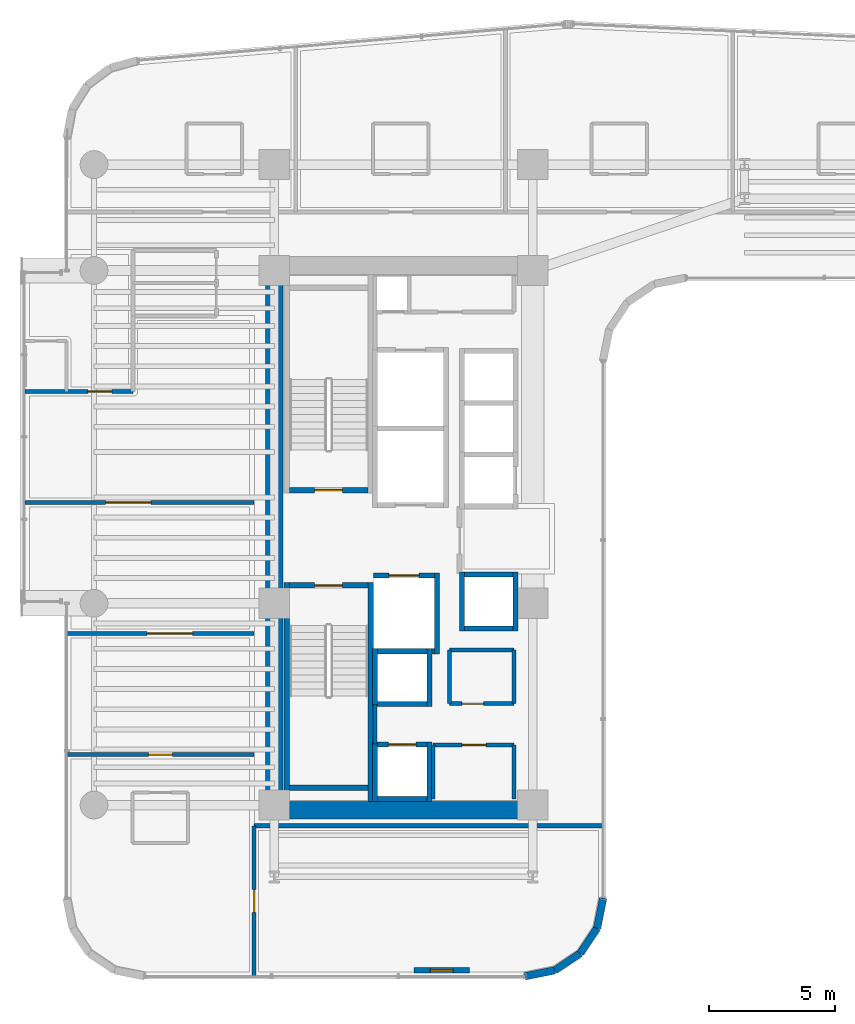
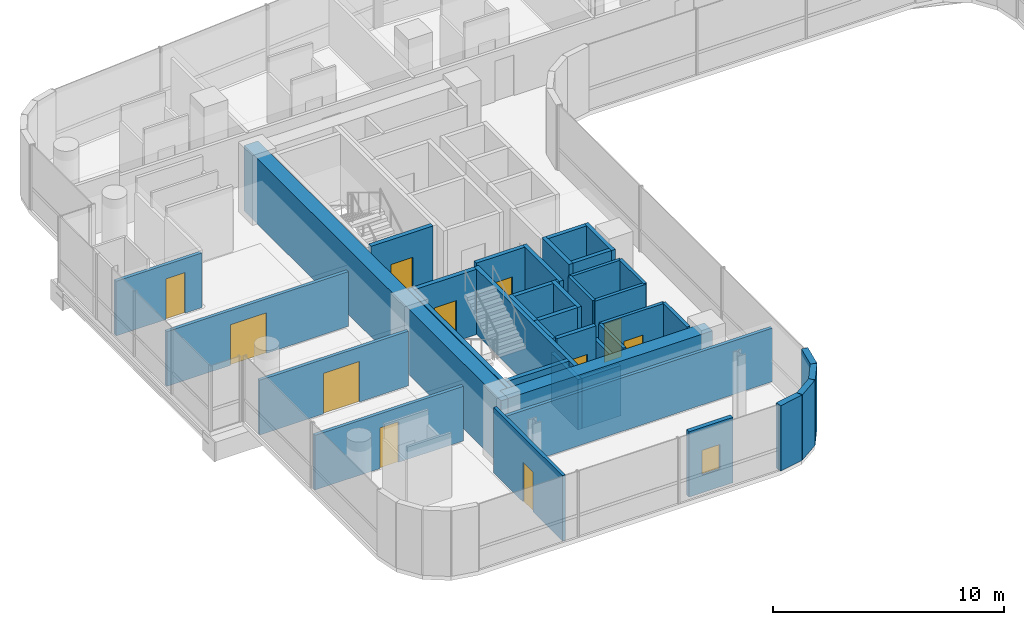
# One storey, part 26 of 35: 40 walls, 11 doors, 1 window, 12 openings.
"""IFC4 building model written with IfcOpenShell, lengths in metres."""

import ifcopenshell
import ifcopenshell.guid

model = None  # the IFC model being written
_history = None  # IfcOwnerHistory: only IFC2X3 demands one
_inside = {}  # id of a spatial element -> (the spatial element, [elements in it])
_under = {}  # id of a project, library or spatial element -> (it, [spatial elements below it])
_declared = {}  # id of a project -> (the project, [libraries it declares])
_typed = {}  # id of a type object -> (the type object, [elements of that type])
_made_of = {}  # id of a material, layer set ... -> (it, [elements and type objects made of it])


def new_model(schema):
    """Start an empty IFC model of exactly this schema.

    Asked for "IFC4X3", IfcOpenShell would pick the latest addendum, in which some entities
    have other attributes; the version numbers below select the first issue.
    IFC2X3 requires an IfcOwnerHistory on every rooted entity: one is made here for all.
    """
    global model, _history
    if schema == "IFC4X3":
        model = ifcopenshell.file(schema_version=(4, 3, 0, 0))
    else:
        model = ifcopenshell.file(schema=schema)
    _inside.clear()
    _under.clear()
    _declared.clear()
    _typed.clear()
    _made_of.clear()
    _history = None
    if model.schema == "IFC2X3":
        org = make("IfcOrganization", Name="unknown")
        user = make(
            "IfcPersonAndOrganization",
            ThePerson=make("IfcPerson", FamilyName="unknown"),
            TheOrganization=org,
        )
        app = make(
            "IfcApplication",
            ApplicationDeveloper=org,
            Version="unknown",
            ApplicationFullName="unknown",
            ApplicationIdentifier="unknown",
        )
        _history = make(
            "IfcOwnerHistory",
            OwningUser=user,
            OwningApplication=app,
            ChangeAction="ADDED",
            CreationDate=0,
        )
    return model


def make(cls, **values):
    """One entity of the class cls with the attributes given. An attribute that is None is left unset."""
    return model.create_entity(
        cls, **{name: value for name, value in values.items() if value is not None}
    )


def rooted(cls, **values):
    """An entity with a GlobalId (a new one), such as an element, a storey or a relation."""
    return make(cls, GlobalId=ifcopenshell.guid.new(), OwnerHistory=_history, **values)


def si_unit(unit_type, name, prefix=None):
    """IfcSIUnit, for example si_unit("LENGTHUNIT", "METRE", prefix="MILLI")."""
    return make("IfcSIUnit", UnitType=unit_type, Prefix=prefix, Name=name)


def assignment(units):
    """IfcUnitAssignment: the units of a project."""
    return None if units is None else make("IfcUnitAssignment", Units=units)


def point(xyz):
    """IfcCartesianPoint."""
    return None if xyz is None else make("IfcCartesianPoint", Coordinates=xyz)


def direction(xyz):
    """IfcDirection."""
    return None if xyz is None else make("IfcDirection", DirectionRatios=xyz)


def frame(location, z_axis=None, x_axis=None):
    """IfcAxis2Placement3D, a coordinate frame: its origin and axes. An axis left out is left unset."""
    return make(
        "IfcAxis2Placement3D",
        Location=point(location),
        Axis=direction(z_axis),
        RefDirection=direction(x_axis),
    )


def frame_2d(location, x_axis=None):
    """IfcAxis2Placement2D, a coordinate frame in the plane: its origin and x axis."""
    return make(
        "IfcAxis2Placement2D", Location=point(location), RefDirection=direction(x_axis)
    )


def origin():
    """The frame at (0, 0, 0) with its axes left unset."""
    return frame((0.0, 0.0, 0.0))


def place(relative_to, where):
    """IfcLocalPlacement: puts the frame where relative to a parent placement (None: the world)."""
    return make(
        "IfcLocalPlacement", PlacementRelTo=relative_to, RelativePlacement=where
    )


def context(
    kind, dimensions, precision=None, world=None, true_north=None, identifier=None
):
    """IfcGeometricRepresentationContext, for example the 3D "Model" context."""
    return make(
        "IfcGeometricRepresentationContext",
        ContextIdentifier=identifier,
        ContextType=kind,
        CoordinateSpaceDimension=dimensions,
        Precision=precision,
        WorldCoordinateSystem=world,
        TrueNorth=true_north,
    )


def subcontext(parent, identifier, kind, view, scale=None):
    """IfcGeometricRepresentationSubContext, for example "Body" below "Model"."""
    return make(
        "IfcGeometricRepresentationSubContext",
        ContextIdentifier=identifier,
        ContextType=kind,
        ParentContext=parent,
        TargetScale=scale,
        TargetView=view,
    )


def project(units=None, contexts=None):
    """IfcProject with its units and contexts."""
    return rooted(
        "IfcProject",
        Name="project",
        RepresentationContexts=contexts,
        UnitsInContext=assignment(units),
    )


def spatial(cls, under=None, at=None, **own):
    """A site, building, storey or space (cls), placed at a placement, below another one or the project."""
    s = rooted(cls, ObjectPlacement=at, **own)
    if under is not None:
        _under.setdefault(under.id(), (under, []))[1].append(s)
    return s


def profile(cls, at=None, kind="AREA", **sizes):
    """A parametric profile (cls). Its sizes go by their IFC names, for example OverallWidth=200.0."""
    return make(cls, ProfileType=kind, Position=at, **sizes)


def rectangle(**sizes):
    """IfcRectangleProfileDef."""
    return profile("IfcRectangleProfileDef", **sizes)


def extrude(swept, where, along, depth):
    """IfcExtrudedAreaSolid: the profile swept, set in the frame where, extruded along a direction by depth."""
    return make(
        "IfcExtrudedAreaSolid",
        SweptArea=swept,
        Position=where,
        ExtrudedDirection=direction(along),
        Depth=depth,
    )


def shape(context_of_items, identifier, shape_type, items):
    """IfcShapeRepresentation: the items that make up one representation, for example the "Body"."""
    return make(
        "IfcShapeRepresentation",
        ContextOfItems=context_of_items,
        RepresentationIdentifier=identifier,
        RepresentationType=shape_type,
        Items=items,
    )


def material(Name=None, Category=None):
    """IfcMaterial."""
    return make("IfcMaterial", Name=Name, Category=Category)


def layer(
    of_material, thickness, ventilated=None, Name=None, Category=None, Priority=None
):
    """IfcMaterialLayer: one layer of a wall or slab, of a material (None: an air gap)."""
    return make(
        "IfcMaterialLayer",
        Material=of_material,
        LayerThickness=thickness,
        IsVentilated=ventilated,
        Name=Name,
        Category=Category,
        Priority=Priority,
    )


def layer_set(layers, Name=None):
    """IfcMaterialLayerSet."""
    return make("IfcMaterialLayerSet", MaterialLayers=layers, LayerSetName=Name)


def made_of(thing, what):
    """Note that an element or type object is made of a material, layer set ...; save() writes the relation."""
    if what is not None:
        _made_of.setdefault(what.id(), (what, []))[1].append(thing)
    return thing


def type_object(cls, material=None, **own):
    """A type object (cls), such as IfcWallType, which elements share."""
    return made_of(rooted(cls, **own), material)


def element(
    cls,
    number,
    at=None,
    inside=None,
    cuts=None,
    type_object=None,
    material=None,
    context=None,
    identifier="Body",
    shape_type=None,
    held_by="IfcProductDefinitionShape",
    body=None,
    shapes=None,
    **own,
):
    """One element of the class cls, such as IfcWall. Its Tag is "e" and its number.

    at: its placement. inside: the storey or other place that contains it. cuts: it is an
    opening in that element (IfcRelVoidsElement). A single representation is given by context,
    identifier, shape_type and body (its items); several are given by shapes. held_by: the class
    of the entity that holds the representations. save() writes the other relations.
    """
    e = rooted(cls, Tag="e%d" % number, ObjectPlacement=at, **own)
    if body is not None:
        shapes = [shape(context, identifier, shape_type, body)]
    if shapes is not None:
        e.Representation = make(held_by, Representations=shapes)
    if inside is not None:
        _inside.setdefault(inside.id(), (inside, []))[1].append(e)
    if cuts is not None:
        rooted(
            "IfcRelVoidsElement", RelatingBuildingElement=cuts, RelatedOpeningElement=e
        )
    if type_object is not None:
        _typed.setdefault(type_object.id(), (type_object, []))[1].append(e)
    return made_of(e, material)


def fill(opening, filler):
    """IfcRelFillsElement: the door or window that sits in an opening."""
    return rooted(
        "IfcRelFillsElement",
        RelatingOpeningElement=opening,
        RelatedBuildingElement=filler,
    )


def aggregate(whole, parts):
    """IfcRelAggregates: a whole, such as a stair, and the parts it consists of."""
    return rooted("IfcRelAggregates", RelatingObject=whole, RelatedObjects=parts)


def save(model, path):
    """Write the relations noted so far, then the file.

    IfcRelAggregates (storeys below a building ...), IfcRelContainedInSpatialStructure (elements
    in a storey), IfcRelDefinesByType, IfcRelAssociatesMaterial and IfcRelDeclares: one each for
    every whole, place, type object, material and project.
    """
    for whole, parts in _under.values():
        aggregate(whole, parts)
    for where, things in _inside.values():
        rooted(
            "IfcRelContainedInSpatialStructure",
            RelatedElements=things,
            RelatingStructure=where,
        )
    for kind, things in _typed.values():
        rooted("IfcRelDefinesByType", RelatedObjects=things, RelatingType=kind)
    for what, things in _made_of.values():
        rooted("IfcRelAssociatesMaterial", RelatedObjects=things, RelatingMaterial=what)
    for by, libraries in _declared.values():
        rooted("IfcRelDeclares", RelatingContext=by, RelatedDefinitions=libraries)
    model.write(path)


model = new_model("IFC4")

# Units and contexts
model_context = context("Model", 3, precision=1e-05, world=origin(), true_north=direction((0.0, 1.0)))
body_context = subcontext(model_context, "Body", "Model", "MODEL_VIEW")
ifc_project = project(units=[si_unit("LENGTHUNIT", "METRE"), si_unit("AREAUNIT", "SQUARE_METRE"), si_unit("VOLUMEUNIT", "CUBIC_METRE"), si_unit("PLANEANGLEUNIT", "RADIAN"), si_unit("MASSUNIT", "GRAM", prefix="KILO")], contexts=[model_context])

# Site, building, storey
site_placement = place(None, origin())
site = spatial("IfcSite", under=ifc_project, at=site_placement, CompositionType="ELEMENT")
building_placement = place(site_placement, origin())
building = spatial("IfcBuilding", under=site, at=building_placement, Name="Valdorenza Pilgrim Sanctuary Tower", CompositionType="ELEMENT")
storey_placement = place(building_placement, frame((0.0, 0.0, 113.10009765625)))
storey = spatial("IfcBuildingStorey", under=building, at=storey_placement, Name="L28", CompositionType="ELEMENT", Elevation=113.10009765625)

# Wall
ifc_material_1 = material(Name="Acoustic twin-stud gypsum partition", Category="gypsum")
ifc_layer_1 = layer(ifc_material_1, 0.159912109375, Name="Acoustic twin-stud gypsum partition")
ifc_layer_set_1 = layer_set([ifc_layer_1], Name="Acoustic twin-stud gypsum partition")
wall_type_1 = type_object("IfcWallType", Name="WAL-COR-160", PredefinedType="PARTITIONING", material=ifc_layer_set_1)
wall_1_placement = place(storey_placement, frame((-18.64990234375, -8.179931640625, 0.0), z_axis=(0.0, 0.0, 1.0), x_axis=(0.0, 1.0, 0.0)))
element("IfcWall", 1, at=wall_1_placement, inside=storey, type_object=wall_type_1, Name="L28 Core A South Lift Hall West Wall", PredefinedType="PARTITIONING", context=body_context, shape_type="SweptSolid", body=[
    extrude(rectangle(XDim=1.559814453125, YDim=0.159912109375, at=frame_2d((0.77978515625, 0.0))), origin(), (0.0, 0.0, 1.0), 3.4599609375),
])

# Wall, opening, door
wall_2_placement = place(storey_placement, frame((-16.35009765625, -8.219970703125, 0.0), z_axis=(0.0, 0.0, 1.0), x_axis=(1.0, 0.0, 0.0)))
wall_2 = element("IfcWall", 2, at=wall_2_placement, inside=storey, type_object=wall_type_1, Name="L28 Freed Shaft 1 North Wall", PredefinedType="PARTITIONING", context=body_context, shape_type="SweptSolid", body=[
    extrude(rectangle(XDim=3.2001953125, YDim=0.159912109375, at=frame_2d((1.60009765625, 0.0))), origin(), (0.0, 0.0, 1.0), 3.4599609375),
])
opening_1_placement = place(wall_2_placement, frame((1.14990234375, 0.0, 0.0)))
opening_1 = element("IfcOpeningElement", 3, at=opening_1_placement, cuts=wall_2, Name="Opening DR-UN1", PredefinedType="OPENING", context=body_context, shape_type="SweptSolid", body=[
    extrude(rectangle(XDim=0.949951171875, YDim=2.14990234375, at=frame_2d((0.47509765625, 1.074951171875))), frame((0.0, 0.0947265625, 0.0), z_axis=(0.0, -1.0, 0.0), x_axis=(1.0, 0.0, 0.0)), (0.0, 0.0, 1.0), 0.189697265625),
])
ifc_material_2 = material(Name="Solid-core European oak timber", Category="wood")
door_type_1 = type_object("IfcDoorType", Name="DR-UNIT-950", OperationType="NOTDEFINED", PredefinedType="DOOR", material=ifc_material_2)
door_1_placement = place(opening_1_placement, origin())
door_1 = element("IfcDoor", 4, at=door_1_placement, inside=storey, type_object=door_type_1, Name="L28 Back-of-House Linen Store Door", OperationType="SINGLE_SWING_LEFT", OverallHeight=2.14990234375, OverallWidth=0.949951171875, PredefinedType="DOOR", context=body_context, shape_type="SweptSolid", body=[
    extrude(rectangle(XDim=0.949951171875, YDim=2.14990234375, at=frame_2d((0.47509765625, 1.074951171875))), frame((0.0, 0.02490234375, 0.0), z_axis=(0.0, -1.0, 0.0), x_axis=(1.0, 0.0, 0.0)), (0.0, 0.0, 1.0), 0.050048828125),
])
fill(opening_1, door_1)

# Wall
wall_3_placement = place(storey_placement, frame((-13.14990234375, -10.35009765625, 0.0), z_axis=(0.0, 0.0, 1.0), x_axis=(0.0, 1.0, 0.0)))
element("IfcWall", 5, at=wall_3_placement, inside=storey, type_object=wall_type_1, Name="L28 Freed Shaft 1 East Wall", PredefinedType="PARTITIONING", context=body_context, shape_type="SweptSolid", body=[
    extrude(rectangle(XDim=2.130126953125, YDim=0.159912109375, at=frame_2d((1.06494140625, 0.0))), origin(), (0.0, 0.0, 1.0), 3.4599609375),
])

# Wall, opening, door
wall_4_placement = place(storey_placement, frame((-15.699951171875, -6.580078125, 0.0), z_axis=(0.0, 0.0, 1.0), x_axis=(1.0, 0.0, 0.0)))
wall_4 = element("IfcWall", 6, at=wall_4_placement, inside=storey, type_object=wall_type_1, Name="L28 Freed Shaft 2 South Wall", PredefinedType="PARTITIONING", context=body_context, shape_type="SweptSolid", body=[
    extrude(rectangle(XDim=2.550048828125, YDim=0.159912109375, at=frame_2d((1.27490234375, 0.0))), origin(), (0.0, 0.0, 1.0), 3.4599609375),
])
opening_2_placement = place(wall_4_placement, frame((0.5, 0.0, 0.0)))
opening_2 = element("IfcOpeningElement", 7, at=opening_2_placement, cuts=wall_4, Name="Opening DR-RS1", PredefinedType="OPENING", context=body_context, shape_type="SweptSolid", body=[
    extrude(rectangle(XDim=0.85009765625, YDim=2.050048828125, at=frame_2d((0.425048828125, 1.02490234375))), frame((0.0, 0.0947265625, 0.0), z_axis=(0.0, -1.0, 0.0), x_axis=(1.0, 0.0, 0.0)), (0.0, 0.0, 1.0), 0.189697265625),
])
ifc_material_3 = material(Name="Painted galvanized steel", Category="steel")
door_type_2 = type_object("IfcDoorType", Name="DR-RSR-850", OperationType="NOTDEFINED", PredefinedType="DOOR", material=ifc_material_3)
door_2_placement = place(opening_2_placement, origin())
door_2 = element("IfcDoor", 8, at=door_2_placement, inside=storey, type_object=door_type_2, Name="L28 Guest Tea Pantry Door", OperationType="SINGLE_SWING_RIGHT", OverallHeight=2.050048828125, OverallWidth=0.85009765625, PredefinedType="DOOR", context=body_context, shape_type="SweptSolid", body=[
    extrude(rectangle(XDim=0.85009765625, YDim=2.050048828125, at=frame_2d((0.425048828125, 1.02490234375))), frame((0.0, 0.02490234375, 0.0), z_axis=(0.0, -1.0, 0.0), x_axis=(1.0, 0.0, 0.0)), (0.0, 0.0, 1.0), 0.050048828125),
])
fill(opening_2, door_2)

# Walls
wall_5_placement = place(storey_placement, frame((-13.14990234375, -6.580078125, 0.0), z_axis=(0.0, 0.0, 1.0), x_axis=(0.0, 1.0, 0.0)))
element("IfcWall", 9, at=wall_5_placement, inside=storey, type_object=wall_type_1, Name="L28 Freed Shaft 2 East Wall", PredefinedType="PARTITIONING", context=body_context, shape_type="SweptSolid", body=[
    extrude(rectangle(XDim=2.130126953125, YDim=0.159912109375, at=frame_2d((1.06494140625, 0.0))), origin(), (0.0, 0.0, 1.0), 3.4599609375),
])
wall_6_placement = place(storey_placement, frame((-23.449951171875, -11.419921875, 0.0), z_axis=(0.0, 0.0, 1.0), x_axis=(1.0, 0.0, 0.0)))
element("IfcWall", 10, at=wall_6_placement, inside=storey, type_object=wall_type_1, Name="L28 South-East Pocket North Wall", PredefinedType="PARTITIONING", context=body_context, shape_type="SweptSolid", body=[
    extrude(rectangle(XDim=13.83984375, YDim=0.159912109375, at=frame_2d((6.919921875, 0.0))), origin(), (0.0, 0.0, 1.0), 2.833984375),
])

# Wall, opening, door
wall_7_placement = place(storey_placement, frame((-23.449951171875, -17.389892578125, 0.0), z_axis=(0.0, 0.0, 1.0), x_axis=(0.0, 1.0, 0.0)))
wall_7 = element("IfcWall", 11, at=wall_7_placement, inside=storey, type_object=wall_type_1, Name="L28 South-East Pocket West Wall", PredefinedType="PARTITIONING", context=body_context, shape_type="SweptSolid", body=[
    extrude(rectangle(XDim=5.969970703125, YDim=0.159912109375, at=frame_2d((2.98486328125, 0.0))), origin(), (0.0, 0.0, 1.0), 3.4599609375),
])
opening_3_placement = place(wall_7_placement, frame((2.534912109375, 0.0, 0.0)))
opening_3 = element("IfcOpeningElement", 12, at=opening_3_placement, cuts=wall_7, Name="Opening DR-RM1", PredefinedType="OPENING", context=body_context, shape_type="SweptSolid", body=[
    extrude(rectangle(XDim=0.89990234375, YDim=2.10009765625, at=frame_2d((0.449951171875, 1.050048828125))), frame((0.0, 0.0947265625, 0.0), z_axis=(0.0, -1.0, 0.0), x_axis=(1.0, 0.0, 0.0)), (0.0, 0.0, 1.0), 0.189697265625),
])
door_type_3 = type_object("IfcDoorType", Name="DR-ROOM-900", OperationType="NOTDEFINED", PredefinedType="DOOR", material=ifc_material_2)
door_3_placement = place(opening_3_placement, origin())
door_3 = element("IfcDoor", 13, at=door_3_placement, inside=storey, type_object=door_type_3, Name="L28 South Panoramic Viewing Salon L28 Door", OperationType="SINGLE_SWING_RIGHT", OverallHeight=2.10009765625, OverallWidth=0.89990234375, PredefinedType="DOOR", context=body_context, shape_type="SweptSolid", body=[
    extrude(rectangle(XDim=0.89990234375, YDim=2.10009765625, at=frame_2d((0.449951171875, 1.050048828125))), frame((0.0, 0.02490234375, 0.0), z_axis=(0.0, -1.0, 0.0), x_axis=(1.0, 0.0, 0.0)), (0.0, 0.0, 1.0), 0.050048828125),
])
fill(opening_3, door_3)

wall_8_placement = place(storey_placement, frame((-30.889892578125, -8.60009765625, 0.0), z_axis=(0.0, 0.0, 1.0), x_axis=(1.0, 0.0, 0.0)))
wall_8 = element("IfcWall", 14, at=wall_8_placement, inside=storey, type_object=wall_type_1, Name="L28 Cloister South Room Wall", PredefinedType="PARTITIONING", context=body_context, shape_type="SweptSolid", body=[
    extrude(rectangle(XDim=7.43994140625, YDim=0.159912109375, at=frame_2d((3.719970703125, 0.0))), origin(), (0.0, 0.0, 1.0), 2.89599609375),
])
opening_4_placement = place(wall_8_placement, frame((3.2451171875, 0.0, 0.0)))
opening_4 = element("IfcOpeningElement", 15, at=opening_4_placement, cuts=wall_8, Name="Opening DR-UN1", PredefinedType="OPENING", context=body_context, shape_type="SweptSolid", body=[
    extrude(rectangle(XDim=0.949951171875, YDim=2.14990234375, at=frame_2d((0.47509765625, 1.074951171875))), frame((0.0, 0.0947265625, 0.0), z_axis=(0.0, -1.0, 0.0), x_axis=(1.0, 0.0, 0.0)), (0.0, 0.0, 1.0), 0.189697265625),
])
door_4_placement = place(opening_4_placement, origin())
door_4 = element("IfcDoor", 16, at=door_4_placement, inside=storey, type_object=door_type_1, Name="L28 Pilgrim Guest Room L28-CS1 Entrance Door", OperationType="SINGLE_SWING_RIGHT", OverallHeight=2.14990234375, OverallWidth=0.949951171875, PredefinedType="DOOR", context=body_context, shape_type="SweptSolid", body=[
    extrude(rectangle(XDim=0.949951171875, YDim=2.14990234375, at=frame_2d((0.47509765625, 1.074951171875))), frame((0.0, 0.02490234375, 0.0), z_axis=(0.0, -1.0, 0.0), x_axis=(1.0, 0.0, 0.0)), (0.0, 0.0, 1.0), 0.050048828125),
])
fill(opening_4, door_4)

wall_9_placement = place(storey_placement, frame((-32.5400390625, 5.800048828125, 0.0), z_axis=(0.0, 0.0, 1.0), x_axis=(1.0, 0.0, 0.0)))
wall_9 = element("IfcWall", 17, at=wall_9_placement, inside=storey, type_object=wall_type_1, Name="L28 Cloister North Room Wall", PredefinedType="PARTITIONING", context=body_context, shape_type="SweptSolid", body=[
    extrude(rectangle(XDim=4.2900390625, YDim=0.159912109375, at=frame_2d((2.14501953125, 0.0))), origin(), (0.0, 0.0, 1.0), 2.89599609375),
])
opening_5_placement = place(wall_9_placement, frame((2.4951171875, 0.0, 0.0)))
opening_5 = element("IfcOpeningElement", 18, at=opening_5_placement, cuts=wall_9, Name="Opening DR-UN1", PredefinedType="OPENING", context=body_context, shape_type="SweptSolid", body=[
    extrude(rectangle(XDim=0.949951171875, YDim=2.14990234375, at=frame_2d((0.47509765625, 1.074951171875))), frame((0.0, 0.0947265625, 0.0), z_axis=(0.0, -1.0, 0.0), x_axis=(1.0, 0.0, 0.0)), (0.0, 0.0, 1.0), 0.189697265625),
])
door_5_placement = place(opening_5_placement, origin())
door_5 = element("IfcDoor", 19, at=door_5_placement, inside=storey, type_object=door_type_1, Name="L28 Pilgrim Guest Room L28-CN1 Entrance Door", OperationType="SINGLE_SWING_RIGHT", OverallHeight=2.14990234375, OverallWidth=0.949951171875, PredefinedType="DOOR", context=body_context, shape_type="SweptSolid", body=[
    extrude(rectangle(XDim=0.949951171875, YDim=2.14990234375, at=frame_2d((0.47509765625, 1.074951171875))), frame((0.0, 0.02490234375, 0.0), z_axis=(0.0, -1.0, 0.0), x_axis=(1.0, 0.0, 0.0)), (0.0, 0.0, 1.0), 0.050048828125),
])
fill(opening_5, door_5)

wall_10_placement = place(storey_placement, frame((-30.889892578125, -3.800048828125, 0.0), z_axis=(0.0, 0.0, 1.0), x_axis=(1.0, 0.0, 0.0)))
wall_10 = element("IfcWall", 20, at=wall_10_placement, inside=storey, type_object=wall_type_1, Name="L28 Cloister Mid Wall 1", PredefinedType="PARTITIONING", context=body_context, shape_type="SweptSolid", body=[
    extrude(rectangle(XDim=7.43994140625, YDim=0.159912109375, at=frame_2d((3.719970703125, 0.0))), origin(), (0.0, 0.0, 1.0), 2.89599609375),
])
opening_6_placement = place(wall_10_placement, frame((3.199951171875, 0.0, 0.0)))
opening_6 = element("IfcOpeningElement", 21, at=opening_6_placement, cuts=wall_10, Name="Opening DR-HL1", PredefinedType="OPENING", context=body_context, shape_type="SweptSolid", body=[
    extrude(rectangle(XDim=1.800048828125, YDim=2.14990234375, at=frame_2d((0.89990234375, 1.074951171875))), frame((0.0, 0.0947265625, 0.0), z_axis=(0.0, -1.0, 0.0), x_axis=(1.0, 0.0, 0.0)), (0.0, 0.0, 1.0), 0.189697265625),
])
ifc_material_4 = material(Name="Acoustic oak and vision-glass double door", Category="glass")
door_type_4 = type_object("IfcDoorType", Name="DR-HALL-1800", OperationType="NOTDEFINED", PredefinedType="DOOR", material=ifc_material_4)
door_6_placement = place(opening_6_placement, origin())
door_6 = element("IfcDoor", 22, at=door_6_placement, inside=storey, type_object=door_type_4, Name="L28 Cloister South-Mid Double Door", OperationType="DOUBLE_DOOR_SINGLE_SWING", OverallHeight=2.14990234375, OverallWidth=1.800048828125, PredefinedType="DOOR", context=body_context, shape_type="SweptSolid", body=[
    extrude(rectangle(XDim=1.800048828125, YDim=2.14990234375, at=frame_2d((0.89990234375, 1.074951171875))), frame((0.0, 0.02490234375, 0.0), z_axis=(0.0, -1.0, 0.0), x_axis=(1.0, 0.0, 0.0)), (0.0, 0.0, 1.0), 0.050048828125),
])
fill(opening_6, door_6)

wall_11_placement = place(storey_placement, frame((-32.5400390625, 1.39990234375, 0.0), z_axis=(0.0, 0.0, 1.0), x_axis=(1.0, 0.0, 0.0)))
wall_11 = element("IfcWall", 23, at=wall_11_placement, inside=storey, type_object=wall_type_1, Name="L28 Cloister Mid Wall 2", PredefinedType="PARTITIONING", context=body_context, shape_type="SweptSolid", body=[
    extrude(rectangle(XDim=9.090087890625, YDim=0.159912109375, at=frame_2d((4.544921875, 0.0))), origin(), (0.0, 0.0, 1.0), 2.89599609375),
])
opening_7_placement = place(wall_11_placement, frame((3.199951171875, 0.0, 0.0)))
opening_7 = element("IfcOpeningElement", 24, at=opening_7_placement, cuts=wall_11, Name="Opening DR-HL1", PredefinedType="OPENING", context=body_context, shape_type="SweptSolid", body=[
    extrude(rectangle(XDim=1.800048828125, YDim=2.14990234375, at=frame_2d((0.89990234375, 1.074951171875))), frame((0.0, 0.0947265625, 0.0), z_axis=(0.0, -1.0, 0.0), x_axis=(1.0, 0.0, 0.0)), (0.0, 0.0, 1.0), 0.189697265625),
])
door_7_placement = place(opening_7_placement, frame((1.800048828125, 0.0, 0.0), z_axis=(0.0, 0.0, 1.0), x_axis=(-1.0, 0.0, 0.0)))
door_7 = element("IfcDoor", 25, at=door_7_placement, inside=storey, type_object=door_type_4, Name="L28 Cloister Mid-North Double Door", OperationType="DOUBLE_DOOR_SINGLE_SWING", OverallHeight=2.14990234375, OverallWidth=1.800048828125, PredefinedType="DOOR", context=body_context, shape_type="SweptSolid", body=[
    extrude(rectangle(XDim=1.800048828125, YDim=2.14990234375, at=frame_2d((0.89990234375, 1.074951171875))), frame((0.0, 0.02490234375, 0.0), z_axis=(0.0, -1.0, 0.0), x_axis=(1.0, 0.0, 0.0)), (0.0, 0.0, 1.0), 0.050048828125),
])
fill(opening_7, door_7)

# Walls
ifc_material_5 = material(Name="Concrete C60/75", Category="concrete")
ifc_layer_2 = layer(ifc_material_5, 0.699951171875, Name="Concrete C60/75")
ifc_layer_set_2 = layer_set([ifc_layer_2], Name="Concrete C60/75")
wall_type_2 = type_object("IfcWallType", Name="WAL-COR-700", PredefinedType="SHEAR", material=ifc_layer_set_2)
wall_12_placement = place(storey_placement, frame((-22.64990234375, -11.14990234375, 0.0), z_axis=(0.0, 0.0, 1.0), x_axis=(0.0, 1.0, 0.0)))
element("IfcWall", 26, at=wall_12_placement, inside=storey, type_object=wall_type_2, Name="L28 Split Core A Shear Wall W", PredefinedType="SHEAR", context=body_context, shape_type="SweptSolid", body=[
    extrude(rectangle(XDim=22.2998046875, YDim=0.699951171875, at=frame_2d((11.14990234375, 0.0))), origin(), (0.0, 0.0, 1.0), 3.4599609375),
])
wall_13_placement = place(storey_placement, frame((-22.64990234375, -10.800048828125, 0.0), z_axis=(0.0, 0.0, 1.0), x_axis=(1.0, 0.0, 0.0)))
element("IfcWall", 27, at=wall_13_placement, inside=storey, type_object=wall_type_2, Name="L28 Split Core A Shear Wall S", PredefinedType="SHEAR", context=body_context, shape_type="SweptSolid", body=[
    extrude(rectangle(XDim=10.25, YDim=0.699951171875, at=frame_2d((5.125, 0.0))), origin(), (0.0, 0.0, 1.0), 3.4599609375),
])
ifc_material_6 = material(Name="Honed travertine limestone", Category="masonry")
ifc_layer_3 = layer(ifc_material_6, 0.300048828125, Name="Honed travertine limestone")
ifc_layer_set_3 = layer_set([ifc_layer_3], Name="Honed travertine limestone")
wall_type_3 = type_object("IfcWallType", Name="WAL-EXT-300", PredefinedType="SOLIDWALL", material=ifc_layer_set_3)
wall_14_placement = place(storey_placement, frame((-9.610107421875, -14.289306640625, 0.0), z_axis=(0.0, 0.0, 1.0), x_axis=(-0.194996050505, -0.980804027463, 0.0)))
element("IfcWall", 28, at=wall_14_placement, inside=storey, type_object=wall_type_3, Name="L28 Rounded Wind-Corner Stone Pier 42", PredefinedType="SOLIDWALL", context=body_context, shape_type="SweptSolid", body=[
    extrude(rectangle(XDim=1.2158203125, YDim=0.300048828125, at=frame_2d((0.60791015625, 0.0))), origin(), (0.0, 0.0, 1.0), 3.4599609375),
])
for number, where, z_axis, x_axis, name in (
    (29, (-9.84716796875, -15.481689453125, 0.0), (0.0, 0.0, 1.0), (-0.555635100982, -0.831426265255, 0.0), "L28 Rounded Wind-Corner Stone Pier 43"),
    (30, (-10.5166015625, -16.4833984375, 0.0), (0.0, 0.0, 1.0), (-0.831426265255, -0.555635100982, 0.0), "L28 Rounded Wind-Corner Stone Pier 44"),
):
    element("IfcWall", number, at=place(storey_placement, frame(where, z_axis=z_axis, x_axis=x_axis)), inside=storey, type_object=wall_type_3, Name=name, PredefinedType="SOLIDWALL", context=body_context, shape_type="SweptSolid", body=[
        extrude(rectangle(XDim=1.204833984375, YDim=0.300048828125, at=frame_2d((0.6025390625, 0.0))), origin(), (0.0, 0.0, 1.0), 3.4599609375),
    ])
wall_15_placement = place(storey_placement, frame((-11.518310546875, -17.15283203125, 0.0), z_axis=(0.0, 0.0, 1.0), x_axis=(-0.980804027463, -0.194996050505, 0.0)))
element("IfcWall", 31, at=wall_15_placement, inside=storey, type_object=wall_type_3, Name="L28 Rounded Wind-Corner Stone Pier 45", PredefinedType="SOLIDWALL", context=body_context, shape_type="SweptSolid", body=[
    extrude(rectangle(XDim=1.2158203125, YDim=0.300048828125, at=frame_2d((0.60791015625, 0.0))), origin(), (0.0, 0.0, 1.0), 3.4599609375),
])

# Wall, opening, window
wall_16_placement = place(storey_placement, frame((-14.910888671875, -17.14990234375, 0.0), z_axis=(0.0, 0.0, 1.0), x_axis=(-1.0, 0.0, 0.0)))
wall_16 = element("IfcWall", 32, at=wall_16_placement, inside=storey, type_object=wall_type_3, Name="L28 Operable Ventilation Sash Jamb Pier", PredefinedType="SOLIDWALL", context=body_context, shape_type="SweptSolid", body=[
    extrude(rectangle(XDim=2.199951171875, YDim=0.219970703125, at=frame_2d((1.10009765625, 0.0))), origin(), (0.0, 0.0, 1.0), 3.4599609375),
])
opening_8_placement = place(wall_16_placement, frame((0.64990234375, 0.0, 0.949951171875)))
opening_8 = element("IfcOpeningElement", 33, at=opening_8_placement, cuts=wall_16, Name="Opening WN-OP1", PredefinedType="OPENING", context=body_context, shape_type="SweptSolid", body=[
    extrude(rectangle(XDim=0.89990234375, YDim=1.300048828125, at=frame_2d((0.449951171875, 0.64990234375))), frame((0.0, 0.125, 0.0), z_axis=(0.0, -1.0, 0.0), x_axis=(1.0, 0.0, 0.0)), (0.0, 0.0, 1.0), 0.249755859375),
])
ifc_material_7 = material(Name="Ceramic-fritted low-E IGU glazing", Category="glass")
window_type = type_object("IfcWindowType", Name="WIN-OPN-900", PartitioningType="SINGLE_PANEL", PredefinedType="WINDOW", material=ifc_material_7)
window_placement = place(opening_8_placement, origin())
window = element("IfcWindow", 34, at=window_placement, inside=storey, type_object=window_type, Name="L28 Parallel-Pop-Out Operable Facade Panel", OverallHeight=1.300048828125, OverallWidth=0.89990234375, PartitioningType="SINGLE_PANEL", PredefinedType="WINDOW", context=body_context, shape_type="SweptSolid", body=[
    extrude(rectangle(XDim=0.89990234375, YDim=1.300048828125, at=frame_2d((0.449951171875, 0.64990234375))), frame((0.0, 0.030029296875, 0.0), z_axis=(0.0, -1.0, 0.0), x_axis=(1.0, 0.0, 0.0)), (0.0, 0.0, 1.0), 0.06005859375),
])
fill(opening_8, window)

# Walls
ifc_material_8 = material(Name="Autoclaved aerated concrete blockwork", Category="masonry")
ifc_layer_4 = layer(ifc_material_8, 0.199951171875, Name="Autoclaved aerated concrete blockwork")
ifc_layer_set_4 = layer_set([ifc_layer_4], Name="Autoclaved aerated concrete blockwork")
wall_type_4 = type_object("IfcWallType", Name="WAL-SHF-200", PredefinedType="MOVABLE", material=ifc_layer_set_4)
wall_17_placement = place(storey_placement, frame((-16.199951171875, -4.60009765625, 0.0), z_axis=(0.0, 0.0, 1.0), x_axis=(0.0, 1.0, 0.0)))
element("IfcWall", 35, at=wall_17_placement, inside=storey, type_object=wall_type_4, Name="L28 Lift FFL-02 Hoistway Wall East", PredefinedType="MOVABLE", context=body_context, shape_type="SweptSolid", body=[
    extrude(rectangle(XDim=3.2001953125, YDim=0.199951171875, at=frame_2d((1.60009765625, 0.0))), origin(), (0.0, 0.0, 1.0), 3.4599609375),
])
wall_18_placement = place(storey_placement, frame((-18.719970703125, -4.5, 0.0), z_axis=(0.0, 0.0, 1.0), x_axis=(1.0, 0.0, 0.0)))
element("IfcWall", 36, at=wall_18_placement, inside=storey, type_object=wall_type_4, Name="L28 Lift FFL-02 Hoistway Wall South", PredefinedType="MOVABLE", context=body_context, shape_type="SweptSolid", body=[
    extrude(rectangle(XDim=2.419921875, YDim=0.199951171875, at=frame_2d((1.2099609375, 0.0))), origin(), (0.0, 0.0, 1.0), 3.4599609375),
])

# Wall, opening, door
wall_19_placement = place(storey_placement, frame((-18.719970703125, -1.5, 0.0), z_axis=(0.0, 0.0, 1.0), x_axis=(1.0, 0.0, 0.0)))
wall_19 = element("IfcWall", 37, at=wall_19_placement, inside=storey, type_object=wall_type_4, Name="L28 Lift FFL-02 Hoistway Wall North", PredefinedType="MOVABLE", context=body_context, shape_type="SweptSolid", body=[
    extrude(rectangle(XDim=2.419921875, YDim=0.199951171875, at=frame_2d((1.2099609375, 0.0))), origin(), (0.0, 0.0, 1.0), 3.4599609375),
])
opening_9_placement = place(wall_19_placement, frame((0.610107421875, 0.0, 0.0)))
opening_9 = element("IfcOpeningElement", 38, at=opening_9_placement, cuts=wall_19, Name="Opening LD-02", PredefinedType="OPENING", context=body_context, shape_type="SweptSolid", body=[
    extrude(rectangle(XDim=1.199951171875, YDim=2.10009765625, at=frame_2d((0.60009765625, 1.050048828125))), frame((0.0, 0.11474609375, 0.0), z_axis=(0.0, -1.0, 0.0), x_axis=(1.0, 0.0, 0.0)), (0.0, 0.0, 1.0), 0.229736328125),
])
ifc_material_9 = material(Name="Brushed stainless steel Grade 316", Category="steel")
door_type_5 = type_object("IfcDoorType", Name="DR-LFT-1200", OperationType="DOUBLE_DOOR_SLIDING", PredefinedType="DOOR", material=ifc_material_9)
door_8_placement = place(opening_9_placement, origin())
door_8 = element("IfcDoor", 39, at=door_8_placement, inside=storey, type_object=door_type_5, Name="L28 Lift FFL-02 Sliding Landing Door", OperationType="DOUBLE_DOOR_SLIDING", OverallHeight=2.10009765625, OverallWidth=1.199951171875, PredefinedType="DOOR", context=body_context, shape_type="SweptSolid", body=[
    extrude(rectangle(XDim=1.199951171875, YDim=2.10009765625, at=frame_2d((0.60009765625, 1.050048828125))), frame((0.0, 0.02490234375, 0.0), z_axis=(0.0, -1.0, 0.0), x_axis=(1.0, 0.0, 0.0)), (0.0, 0.0, 1.0), 0.050048828125),
])
fill(opening_9, door_8)

# Walls
for number, where, z_axis, x_axis, name in (
    (40, (-18.64990234375, -10.449951171875, 0.0), (0.0, 0.0, 1.0), (0.0, 1.0, 0.0), "L28 Lift PL-05 Hoistway Wall West"),
    (41, (-16.5, -10.449951171875, 0.0), (0.0, 0.0, 1.0), (0.0, 1.0, 0.0), "L28 Lift PL-05 Hoistway Wall East"),
):
    element("IfcWall", number, at=place(storey_placement, frame(where, z_axis=z_axis, x_axis=x_axis)), inside=storey, type_object=wall_type_4, Name=name, PredefinedType="MOVABLE", context=body_context, shape_type="SweptSolid", body=[
        extrude(rectangle(XDim=2.349853515625, YDim=0.199951171875, at=frame_2d((1.1748046875, 0.0))), origin(), (0.0, 0.0, 1.0), 2.666015625),
    ])
wall_20_placement = place(storey_placement, frame((-18.550048828125, -10.35009765625, 0.0), z_axis=(0.0, 0.0, 1.0), x_axis=(1.0, 0.0, 0.0)))
element("IfcWall", 42, at=wall_20_placement, inside=storey, type_object=wall_type_4, Name="L28 Lift PL-05 Hoistway Wall South", PredefinedType="MOVABLE", context=body_context, shape_type="SweptSolid", body=[
    extrude(rectangle(XDim=1.949951171875, YDim=0.199951171875, at=frame_2d((0.97509765625, 0.0))), origin(), (0.0, 0.0, 1.0), 2.666015625),
])

# Wall, opening, door
wall_21_placement = place(storey_placement, frame((-18.550048828125, -8.199951171875, 0.0), z_axis=(0.0, 0.0, 1.0), x_axis=(1.0, 0.0, 0.0)))
wall_21 = element("IfcWall", 43, at=wall_21_placement, inside=storey, type_object=wall_type_4, Name="L28 Lift PL-05 Hoistway Wall North", PredefinedType="MOVABLE", context=body_context, shape_type="SweptSolid", body=[
    extrude(rectangle(XDim=1.949951171875, YDim=0.199951171875, at=frame_2d((0.97509765625, 0.0))), origin(), (0.0, 0.0, 1.0), 3.4599609375),
])
opening_10_placement = place(wall_21_placement, frame((0.425048828125, 0.0, 0.0)))
opening_10 = element("IfcOpeningElement", 44, at=opening_10_placement, cuts=wall_21, Name="Opening LD-01", PredefinedType="OPENING", context=body_context, shape_type="SweptSolid", body=[
    extrude(rectangle(XDim=1.10009765625, YDim=2.10009765625, at=frame_2d((0.550048828125, 1.050048828125))), frame((0.0, 0.11474609375, 0.0), z_axis=(0.0, -1.0, 0.0), x_axis=(1.0, 0.0, 0.0)), (0.0, 0.0, 1.0), 0.229736328125),
])
door_type_6 = type_object("IfcDoorType", Name="DR-LFT-1100", OperationType="DOUBLE_DOOR_SLIDING", PredefinedType="DOOR", material=ifc_material_9)
door_9_placement = place(opening_10_placement, origin())
door_9 = element("IfcDoor", 45, at=door_9_placement, inside=storey, type_object=door_type_6, Name="L28 Lift PL-05 Sliding Landing Door", OperationType="DOUBLE_DOOR_SLIDING", OverallHeight=2.10009765625, OverallWidth=1.10009765625, PredefinedType="DOOR", context=body_context, shape_type="SweptSolid", body=[
    extrude(rectangle(XDim=1.10009765625, YDim=2.10009765625, at=frame_2d((0.550048828125, 1.050048828125))), frame((0.0, 0.02490234375, 0.0), z_axis=(0.0, -1.0, 0.0), x_axis=(1.0, 0.0, 0.0)), (0.0, 0.0, 1.0), 0.050048828125),
])
fill(opening_10, door_9)

# Walls
for number, where, z_axis, x_axis, name in (
    (46, (-18.64990234375, -6.699951171875, 0.0), (0.0, 0.0, 1.0), (0.0, 1.0, 0.0), "L28 Lift PL-11 Hoistway Wall West"),
    (47, (-16.5, -6.699951171875, 0.0), (0.0, 0.0, 1.0), (0.0, 1.0, 0.0), "L28 Lift PL-11 Hoistway Wall East"),
):
    element("IfcWall", number, at=place(storey_placement, frame(where, z_axis=z_axis, x_axis=x_axis)), inside=storey, type_object=wall_type_4, Name=name, PredefinedType="MOVABLE", context=body_context, shape_type="SweptSolid", body=[
        extrude(rectangle(XDim=2.300048828125, YDim=0.199951171875, at=frame_2d((1.14990234375, 0.0))), origin(), (0.0, 0.0, 1.0), 3.4599609375),
    ])
wall_22_placement = place(storey_placement, frame((-18.550048828125, -6.60009765625, 0.0), z_axis=(0.0, 0.0, 1.0), x_axis=(1.0, 0.0, 0.0)))
element("IfcWall", 48, at=wall_22_placement, inside=storey, type_object=wall_type_4, Name="L28 Lift PL-11 Hoistway Wall South", PredefinedType="MOVABLE", context=body_context, shape_type="SweptSolid", body=[
    extrude(rectangle(XDim=1.949951171875, YDim=0.199951171875, at=frame_2d((0.97509765625, 0.0))), origin(), (0.0, 0.0, 1.0), 3.4599609375),
])
for number, where, z_axis, x_axis, name in (
    (49, (-15.199951171875, -3.699951171875, 0.0), (0.0, 0.0, 1.0), (0.0, 1.0, 0.0), "L28 Lift PL-12 Hoistway Wall West"),
    (50, (-13.080078125, -3.699951171875, 0.0), (0.0, 0.0, 1.0), (0.0, 1.0, 0.0), "L28 Lift PL-12 Hoistway Wall East"),
):
    element("IfcWall", number, at=place(storey_placement, frame(where, z_axis=z_axis, x_axis=x_axis)), inside=storey, type_object=wall_type_4, Name=name, PredefinedType="MOVABLE", context=body_context, shape_type="SweptSolid", body=[
        extrude(rectangle(XDim=2.349853515625, YDim=0.199951171875, at=frame_2d((1.1748046875, 0.0))), origin(), (0.0, 0.0, 1.0), 3.4599609375),
    ])
for number, where, z_axis, x_axis, name in (
    (51, (-15.10009765625, -3.60009765625, 0.0), (0.0, 0.0, 1.0), (1.0, 0.0, 0.0), "L28 Lift PL-12 Hoistway Wall South"),
    (52, (-15.10009765625, -1.449951171875, 0.0), (0.0, 0.0, 1.0), (1.0, 0.0, 0.0), "L28 Lift PL-12 Hoistway Wall North"),
):
    element("IfcWall", number, at=place(storey_placement, frame(where, z_axis=z_axis, x_axis=x_axis)), inside=storey, type_object=wall_type_4, Name=name, PredefinedType="MOVABLE", context=body_context, shape_type="SweptSolid", body=[
        extrude(rectangle(XDim=1.920166015625, YDim=0.199951171875, at=frame_2d((0.9599609375, 0.0))), origin(), (0.0, 0.0, 1.0), 3.4599609375),
    ])

# Wall, opening, door
ifc_material_10 = material(Name="Concrete C40/50", Category="concrete")
ifc_layer_5 = layer(ifc_material_10, 0.219970703125, Name="Concrete C40/50")
ifc_layer_set_5 = layer_set([ifc_layer_5], Name="Concrete C40/50")
wall_type_5 = type_object("IfcWallType", Name="WAL-STR-SHF-220", PredefinedType="SHEAR", material=ifc_layer_set_5)
wall_23_placement = place(storey_placement, frame((-22.050048828125, 1.889892578125, 0.0), z_axis=(0.0, 0.0, 1.0), x_axis=(1.0, 0.0, 0.0)))
wall_23 = element("IfcWall", 53, at=wall_23_placement, inside=storey, type_object=wall_type_5, Name="L28 ST-A1 Structural Stairwell Wall S", PredefinedType="SHEAR", context=body_context, shape_type="SweptSolid", body=[
    extrude(rectangle(XDim=3.110107421875, YDim=0.219970703125, at=frame_2d((1.55517578125, 0.0))), origin(), (0.0, 0.0, 1.0), 3.4599609375),
])
opening_11_placement = place(wall_23_placement, frame((1.0, 0.0, 0.0)))
opening_11 = element("IfcOpeningElement", 54, at=opening_11_placement, cuts=wall_23, Name="Opening DR-ST1", PredefinedType="OPENING", context=body_context, shape_type="SweptSolid", body=[
    extrude(rectangle(XDim=1.10009765625, YDim=2.14990234375, at=frame_2d((0.550048828125, 1.074951171875))), frame((0.0, 0.125, 0.0), z_axis=(0.0, -1.0, 0.0), x_axis=(1.0, 0.0, 0.0)), (0.0, 0.0, 1.0), 0.249755859375),
])
door_type_7 = type_object("IfcDoorType", Name="DR-STAIR-1100", OperationType="NOTDEFINED", PredefinedType="DOOR", material=ifc_material_3)
door_10_placement = place(opening_11_placement, frame((1.10009765625, 0.0, 0.0), z_axis=(0.0, 0.0, 1.0), x_axis=(-1.0, 0.0, 0.0)))
door_10 = element("IfcDoor", 55, at=door_10_placement, inside=storey, type_object=door_type_7, Name="L28 Exit Stair ST-A1 Door", OperationType="SINGLE_SWING_LEFT", OverallHeight=2.14990234375, OverallWidth=1.10009765625, PredefinedType="DOOR", context=body_context, shape_type="SweptSolid", body=[
    extrude(rectangle(XDim=1.10009765625, YDim=2.14990234375, at=frame_2d((0.550048828125, 1.074951171875))), frame((0.0, 0.02490234375, 0.0), z_axis=(0.0, -1.0, 0.0), x_axis=(1.0, 0.0, 0.0)), (0.0, 0.0, 1.0), 0.050048828125),
])
fill(opening_11, door_10)

# Walls
for number, where, z_axis, x_axis, name in (
    (56, (-22.159912109375, -10.449951171875, 0.0), (0.0, 0.0, 1.0), (0.0, 1.0, 0.0), "L28 ST-A2 Structural Stairwell Wall W"),
    (57, (-18.830078125, -10.449951171875, 0.0), (0.0, 0.0, 1.0), (0.0, 1.0, 0.0), "L28 ST-A2 Structural Stairwell Wall E"),
):
    element("IfcWall", number, at=place(storey_placement, frame(where, z_axis=z_axis, x_axis=x_axis)), inside=storey, type_object=wall_type_5, Name=name, PredefinedType="SHEAR", context=body_context, shape_type="SweptSolid", body=[
        extrude(rectangle(XDim=8.669921875, YDim=0.219970703125, at=frame_2d((4.3349609375, 0.0))), origin(), (0.0, 0.0, 1.0), 3.4599609375),
    ])
wall_24_placement = place(storey_placement, frame((-22.050048828125, -9.909912109375, 0.0), z_axis=(0.0, 0.0, 1.0), x_axis=(1.0, 0.0, 0.0)))
element("IfcWall", 58, at=wall_24_placement, inside=storey, type_object=wall_type_5, Name="L28 ST-A2 Structural Stairwell Wall S", PredefinedType="SHEAR", context=body_context, shape_type="SweptSolid", body=[
    extrude(rectangle(XDim=3.110107421875, YDim=0.219970703125, at=frame_2d((1.55517578125, 0.0))), origin(), (0.0, 0.0, 1.0), 3.4599609375),
])

# Wall, opening, door
wall_25_placement = place(storey_placement, frame((-22.050048828125, -1.889892578125, 0.0), z_axis=(0.0, 0.0, 1.0), x_axis=(1.0, 0.0, 0.0)))
wall_25 = element("IfcWall", 59, at=wall_25_placement, inside=storey, type_object=wall_type_5, Name="L28 ST-A2 Structural Stairwell Wall N", PredefinedType="SHEAR", context=body_context, shape_type="SweptSolid", body=[
    extrude(rectangle(XDim=3.110107421875, YDim=0.219970703125, at=frame_2d((1.55517578125, 0.0))), origin(), (0.0, 0.0, 1.0), 3.4599609375),
])
opening_12_placement = place(wall_25_placement, frame((1.0, 0.0, 0.0)))
opening_12 = element("IfcOpeningElement", 60, at=opening_12_placement, cuts=wall_25, Name="Opening DR-ST1", PredefinedType="OPENING", context=body_context, shape_type="SweptSolid", body=[
    extrude(rectangle(XDim=1.10009765625, YDim=2.14990234375, at=frame_2d((0.550048828125, 1.074951171875))), frame((0.0, 0.125, 0.0), z_axis=(0.0, -1.0, 0.0), x_axis=(1.0, 0.0, 0.0)), (0.0, 0.0, 1.0), 0.249755859375),
])
door_11_placement = place(opening_12_placement, origin())
door_11 = element("IfcDoor", 61, at=door_11_placement, inside=storey, type_object=door_type_7, Name="L28 Exit Stair ST-A2 Door", OperationType="SINGLE_SWING_RIGHT", OverallHeight=2.14990234375, OverallWidth=1.10009765625, PredefinedType="DOOR", context=body_context, shape_type="SweptSolid", body=[
    extrude(rectangle(XDim=1.10009765625, YDim=2.14990234375, at=frame_2d((0.550048828125, 1.074951171875))), frame((0.0, 0.02490234375, 0.0), z_axis=(0.0, -1.0, 0.0), x_axis=(1.0, 0.0, 0.0)), (0.0, 0.0, 1.0), 0.050048828125),
])
fill(opening_12, door_11)

# Walls
ifc_layer_6 = layer(ifc_material_1, 0.14990234375, Name="Acoustic twin-stud gypsum partition")
ifc_layer_set_6 = layer_set([ifc_layer_6], Name="Acoustic twin-stud gypsum partition")
wall_type_6 = type_object("IfcWallType", Name="WAL-UNT-150", PredefinedType="PARTITIONING", material=ifc_layer_set_6)
for number, where, z_axis, x_axis, name in (
    (62, (-16.35009765625, -10.35009765625, 0.0), (0.0, 0.0, 1.0), (0.0, 1.0, 0.0), "L28 Freed Shaft 1 West Wall"),
    (63, (-15.699951171875, -6.580078125, 0.0), (0.0, 0.0, 1.0), (0.0, 1.0, 0.0), "L28 Freed Shaft 2 West Wall"),
):
    element("IfcWall", number, at=place(storey_placement, frame(where, z_axis=z_axis, x_axis=x_axis)), inside=storey, type_object=wall_type_6, Name=name, PredefinedType="PARTITIONING", context=body_context, shape_type="SweptSolid", body=[
        extrude(rectangle(XDim=2.130126953125, YDim=0.14990234375, at=frame_2d((1.06494140625, 0.0))), origin(), (0.0, 0.0, 1.0), 3.4599609375),
    ])
wall_26_placement = place(storey_placement, frame((-15.699951171875, -4.449951171875, 0.0), z_axis=(0.0, 0.0, 1.0), x_axis=(1.0, 0.0, 0.0)))
element("IfcWall", 64, at=wall_26_placement, inside=storey, type_object=wall_type_6, Name="L28 Freed Shaft 2 North Wall", PredefinedType="PARTITIONING", context=body_context, shape_type="SweptSolid", body=[
    extrude(rectangle(XDim=2.550048828125, YDim=0.14990234375, at=frame_2d((1.27490234375, 0.0))), origin(), (0.0, 0.0, 1.0), 3.4599609375),
])

save(model, "model.ifc")
